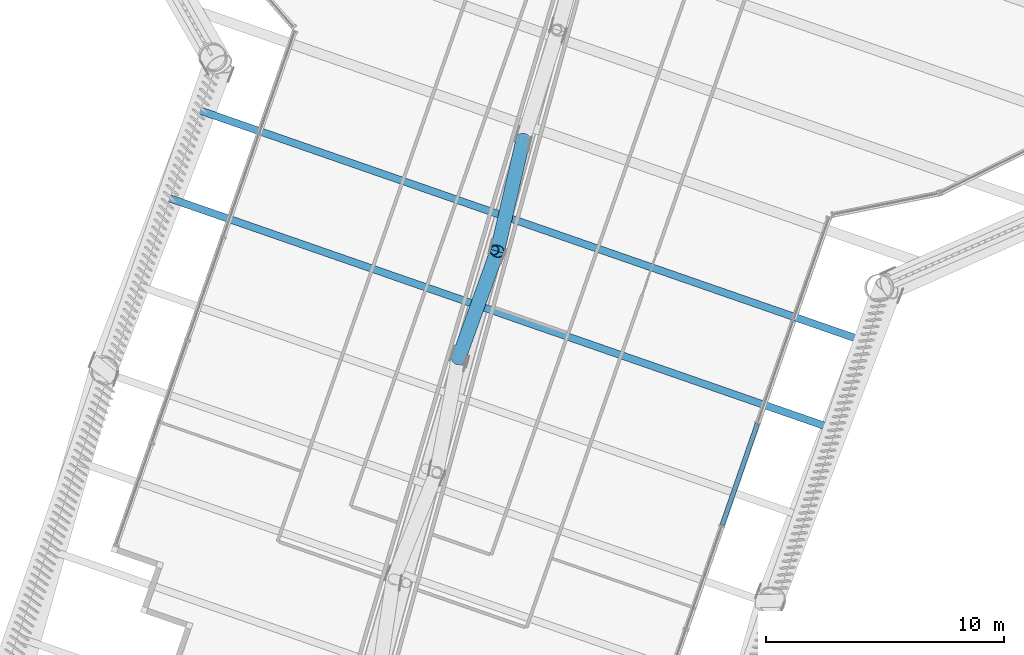
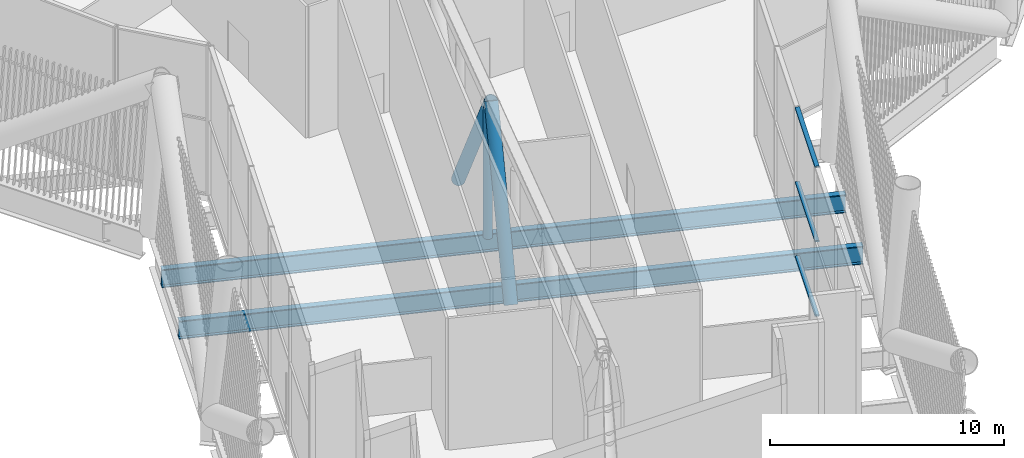
# One storey, part 8 of 63: 6 members, 2 beams, 1 element without a shape of its own.
"""IFC4 building model written with IfcOpenShell, lengths in metres."""

from ifc_helpers import new_model, si_unit, direction, frame, origin, origin_2d, place, context, subcontext, project, spatial, hollow_rectangle, hollow_circle, i_section, extrude, material, layer, layer_set, material_profile, profile_set, type_object, element, aggregate, save


model = new_model("IFC4")

# Units and contexts
model_context = context("Model", 3, precision=1e-05, world=origin(), true_north=direction((0.0, 1.0)))
body_context = subcontext(model_context, "Body", "Model", "MODEL_VIEW")
ifc_project = project(units=[si_unit("LENGTHUNIT", "METRE"), si_unit("AREAUNIT", "SQUARE_METRE"), si_unit("VOLUMEUNIT", "CUBIC_METRE"), si_unit("PLANEANGLEUNIT", "RADIAN"), si_unit("MASSUNIT", "GRAM", prefix="KILO")], contexts=[model_context])

# Site, building, storey
site_placement = place(None, origin())
site = spatial("IfcSite", under=ifc_project, at=site_placement, CompositionType="ELEMENT")
building_placement = place(site_placement, origin())
building = spatial("IfcBuilding", under=site, at=building_placement, Name="Tarsis Ring Headquarters", CompositionType="ELEMENT")
storey_placement = place(building_placement, frame((0.0, 0.0, 139.60009765625)))
storey = spatial("IfcBuildingStorey", under=building, at=storey_placement, Name="L32", CompositionType="ELEMENT", Elevation=139.60009765625)

# Curtain wall, members
ifc_material_1 = material(Name="Aluminium curtain wall", Category="aluminium")
ifc_layer = layer(ifc_material_1, 0.25)
ifc_layer_set = layer_set([ifc_layer], Name="Curtain wall sky lobby")
curtain_wall_type = type_object("IfcCurtainWallType", Name="Curtain wall sky lobby", PredefinedType="NOTDEFINED", material=ifc_layer_set)
curtain_wall_placement = place(storey_placement, origin())
curtain_wall = element("IfcCurtainWall", 1, at=curtain_wall_placement, inside=storey, type_object=curtain_wall_type, Name="Curtain wall L32-16", PredefinedType="NOTDEFINED")
ifc_material_2 = material(Name="Aluminium transom", Category="aluminium")
ifc_material_profile_1 = material_profile(ifc_material_2, hollow_rectangle(XDim=0.199951171875, YDim=0.080078125, WallThickness=0.0048828125, at=origin_2d()), Name="RHS 200x80x5")
ifc_profile_set_1 = profile_set([ifc_material_profile_1], Name="Aluminium transom")
member_type_1 = type_object("IfcMemberType", Name="Curtain wall transom sky lobby RHS 200x80x5", PredefinedType="USERDEFINED", material=ifc_profile_set_1)
member_1_placement = place(storey_placement, frame((-0.778564453125, -38.42236328125, 0.039794921875), z_axis=(0.328213403514, 0.944603600329, 0.0), x_axis=(-0.944603600329, 0.328213403514, 0.0)))
member_1 = element("IfcMember", 2, at=member_1_placement, type_object=member_type_1, Name="CW-S transom 3.1", ObjectType="TRANSOM", PredefinedType="USERDEFINED", context=body_context, shape_type="SweptSolid", body=[
    extrude(hollow_rectangle(XDim=0.199951171875, YDim=0.080078125, WallThickness=0.0048828125, at=origin_2d()), origin(), (0.0, 0.0, 1.0), 4.500244140625),
])
member_2_placement = place(storey_placement, frame((-0.778564453125, -38.42236328125, 3.919921875), z_axis=(0.328213403514, 0.944603600329, 0.0), x_axis=(-0.944603600329, 0.328213403514, 0.0)))
member_2 = element("IfcMember", 3, at=member_2_placement, type_object=member_type_1, Name="CW-S transom 3.2", ObjectType="TRANSOM", PredefinedType="USERDEFINED", context=body_context, shape_type="SweptSolid", body=[
    extrude(hollow_rectangle(XDim=0.199951171875, YDim=0.080078125, WallThickness=0.0048828125, at=origin_2d()), origin(), (0.0, 0.0, 1.0), 4.500244140625),
])
member_3_placement = place(storey_placement, frame((-0.778564453125, -38.42236328125, 7.7998046875), z_axis=(0.328213403514, 0.944603600329, 0.0), x_axis=(-0.944603600329, 0.328213403514, 0.0)))
member_3 = element("IfcMember", 4, at=member_3_placement, type_object=member_type_1, Name="CW-S transom 3.3", ObjectType="TRANSOM", PredefinedType="USERDEFINED", context=body_context, shape_type="SweptSolid", body=[
    extrude(hollow_rectangle(XDim=0.199951171875, YDim=0.080078125, WallThickness=0.0048828125, at=origin_2d()), origin(), (0.0, 0.0, 1.0), 4.500244140625),
])
aggregate(curtain_wall, [member_1, member_2, member_3])

# Beams
ifc_material_3 = material(Name="Structural steel S355", Category="steel")
ifc_material_profile_2 = material_profile(ifc_material_3, i_section(OverallWidth=0.309814453125, OverallDepth=0.949951171875, WebThickness=0.0244140625, FlangeThickness=0.0439453125, at=origin_2d()), Name="W36x256")
ifc_profile_set_2 = profile_set([ifc_material_profile_2], Name="Structural steel S355")
beam_type = type_object("IfcBeamType", Name="FB Floor beam W36x256", PredefinedType="JOIST", material=ifc_profile_set_2)
for number, where, z_axis, x_axis, name in (
    (5, (-23.0205078125, -20.90234375, -0.775146484375), (0.944605279281, -0.328208571422, 0.0), (0.328208571422, 0.944605279281, 0.0), "Floor beam FB11"),
    (6, (-24.300537109375, -24.58642578125, -0.775146484375), (0.944605279281, -0.328208571422, 0.0), (0.328208571422, 0.944605279281, 0.0), "Floor beam FB11"),
):
    element("IfcBeam", number, at=place(storey_placement, frame(where, z_axis=z_axis, x_axis=x_axis)), inside=storey, type_object=beam_type, Name=name, PredefinedType="JOIST", context=body_context, shape_type="SweptSolid", body=[
        extrude(i_section(OverallWidth=0.309814453125, OverallDepth=0.949951171875, WebThickness=0.0244140625, FlangeThickness=0.0439453125, at=origin_2d()), origin(), (0.0, 0.0, 1.0), 29.77001953125),
    ])

# Members
ifc_material_profile_3 = material_profile(ifc_material_3, hollow_circle(Radius=0.3046875, WallThickness=0.02490234375, at=origin_2d()), Name="CHS 610x25")
ifc_profile_set_3 = profile_set([ifc_material_profile_3], Name="Structural steel S355")
member_type_2 = type_object("IfcMemberType", Name="OD Outrigger diagonal CHS 610x25", PredefinedType="BRACE", material=ifc_profile_set_3)
member_4_placement = place(storey_placement, frame((-9.126220703125, -22.220947265625, 0.25390625), z_axis=(-0.124511382406, -0.535618653954, 0.8352302516), x_axis=(0.974028523019, -0.226425343868, 0.0)))
element("IfcMember", 7, at=member_4_placement, inside=storey, type_object=member_type_2, Name="Outrigger diagonal OD1", PredefinedType="BRACE", context=body_context, shape_type="SweptSolid", body=[
    extrude(hollow_circle(Radius=0.3046875, WallThickness=0.02490234375, at=origin_2d()), origin(), (0.0, 0.0, 1.0), 8.778564453125),
])
member_5_placement = place(storey_placement, frame((-10.21923828125, -26.9228515625, 7.5859375), z_axis=(-0.186288877359, -0.515504129156, -0.836392220789), x_axis=(0.940475424049, -0.339861702402, 0.0)))
element("IfcMember", 8, at=member_5_placement, inside=storey, type_object=member_type_2, Name="Outrigger diagonal OD1", PredefinedType="BRACE", context=body_context, shape_type="SweptSolid", body=[
    extrude(hollow_circle(Radius=0.3046875, WallThickness=0.02490234375, at=origin_2d()), origin(), (0.0, 0.0, 1.0), 8.766357421875),
])
ifc_material_profile_4 = material_profile(ifc_material_3, hollow_circle(Radius=0.203125, WallThickness=0.01611328125, at=origin_2d()), Name="CHS 406x16")
ifc_profile_set_4 = profile_set([ifc_material_profile_4], Name="Structural steel S355")
member_type_3 = type_object("IfcMemberType", Name="OV Outrigger post CHS 406x16", PredefinedType="STRUT", material=ifc_profile_set_4)
member_6_placement = place(storey_placement, frame((-10.354248046875, -26.877197265625, 0.5078125), z_axis=(0.0, 0.0, 1.0), x_axis=(1.0, 0.0, 0.0)))
element("IfcMember", 9, at=member_6_placement, inside=storey, type_object=member_type_3, Name="Outrigger post OV1", PredefinedType="STRUT", context=body_context, shape_type="SweptSolid", body=[
    extrude(hollow_circle(Radius=0.203125, WallThickness=0.01611328125, at=origin_2d()), origin(), (0.0, 0.0, 1.0), 6.823974609375),
])

save(model, "model.ifc")
